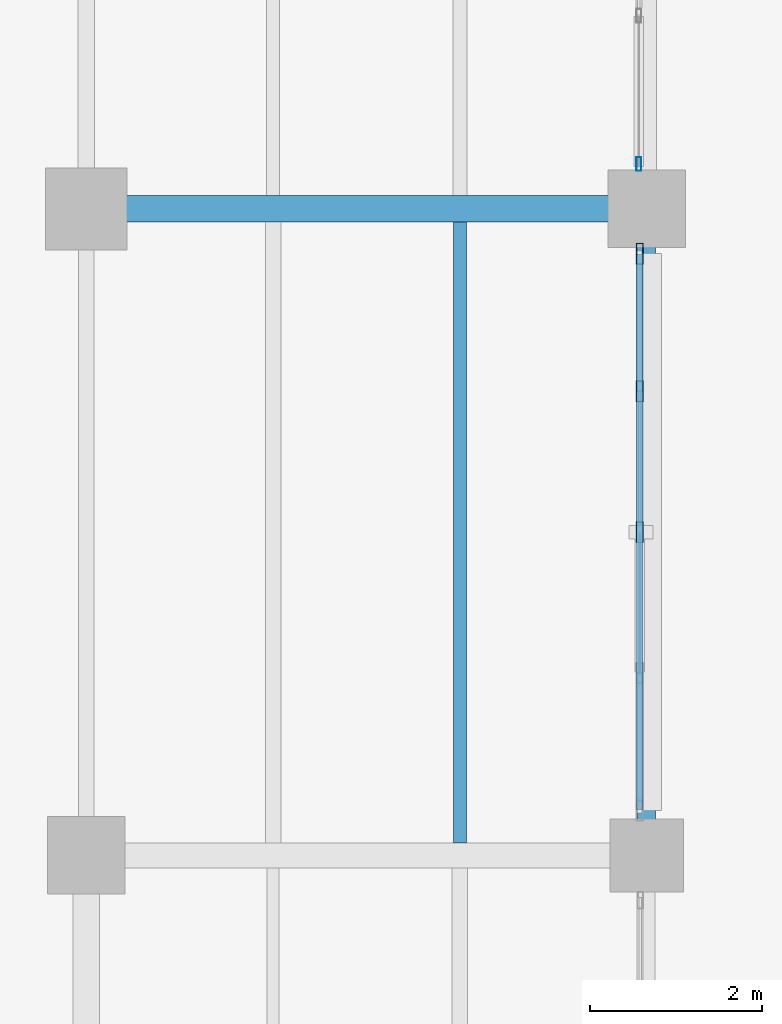
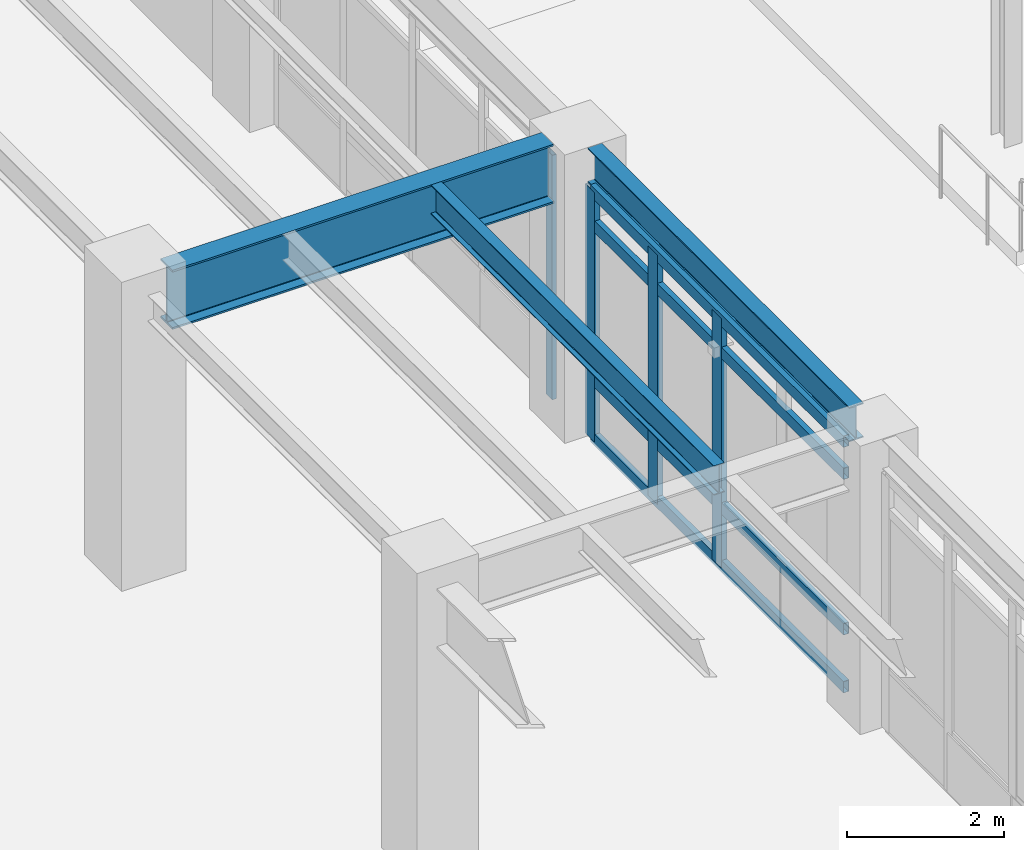
# One storey, part 112 of 200: 8 members, 3 beams, 2 elements without a shape of their own.
"""IFC4 building model written with IfcOpenShell, lengths in metres."""

from ifc_helpers import new_model, si_unit, direction, frame, origin, origin_2d, place, context, subcontext, project, spatial, hollow_rectangle, i_section, extrude, material, material_profile, profile_set, type_object, element, aggregate, save


model = new_model("IFC4")

# Units and contexts
model_context = context("Model", 3, precision=1e-05, world=origin(), true_north=direction((0.0, 1.0)))
body_context = subcontext(model_context, "Body", "Model", "MODEL_VIEW")
ifc_project = project(units=[si_unit("LENGTHUNIT", "METRE"), si_unit("AREAUNIT", "SQUARE_METRE"), si_unit("VOLUMEUNIT", "CUBIC_METRE"), si_unit("PLANEANGLEUNIT", "RADIAN"), si_unit("MASSUNIT", "GRAM", prefix="KILO"), si_unit("THERMODYNAMICTEMPERATUREUNIT", "KELVIN"), si_unit("POWERUNIT", "WATT")], contexts=[model_context])

# Site, building, storey
site_placement = place(None, origin())
site = spatial("IfcSite", under=ifc_project, at=site_placement, CompositionType="ELEMENT")
building_placement = place(site_placement, origin())
building = spatial("IfcBuilding", under=site, at=building_placement, Name="Tepalcoro Natatorium and Aquatics Centre", CompositionType="ELEMENT")
storey_placement = place(building_placement, frame((0.0, 0.0, 5.39990234375)))
storey = spatial("IfcBuildingStorey", under=building, at=storey_placement, Name="L01", CompositionType="ELEMENT", Elevation=5.39990234375)

# Beam
ifc_material_1 = material(Name="Steel ASTM A992 Grade 50 (Fy 345 MPa)", Category="steel")
ifc_material_profile_1 = material_profile(ifc_material_1, i_section(OverallWidth=0.304931640625, OverallDepth=0.9189453125, WebThickness=0.01708984375, FlangeThickness=0.028076171875, FilletRadius=0.013916015625, at=origin_2d()), Name="W36X170")
ifc_profile_set_1 = profile_set([ifc_material_profile_1], Name="Steel ASTM A992 Grade 50 (Fy 345 MPa)")
beam_type_1 = type_object("IfcBeamType", Name="BM_W36x170", PredefinedType="BEAM", material=ifc_profile_set_1)
beam_1_placement = place(storey_placement, frame((125.4599609375, 28.0, 4.005615234375), z_axis=(1.0, 0.0, 0.0), x_axis=(0.0, 1.0, 0.0)))
element("IfcBeam", 1, at=beam_1_placement, inside=storey, type_object=beam_type_1, Name="V1 L01 Grid Girder X", PredefinedType="BEAM", context=body_context, shape_type="SweptSolid", body=[
    extrude(i_section(OverallWidth=0.304931640625, OverallDepth=0.9189453125, WebThickness=0.01708984375, FlangeThickness=0.028076171875, FilletRadius=0.013916015625, at=origin_2d()), origin(), (0.0, 0.0, 1.0), 5.60498046875),
])

# Curtain wall, member
ifc_material_2 = material(Name="Bronze-Anodised Extruded Aluminium Alloy EN AW-6063 T6", Category="aluminium")
curtain_wall_type_1 = type_object("IfcCurtainWallType", Name="CW_V1_PLINTH", PredefinedType="USERDEFINED", material=ifc_material_2)
curtain_wall_1_placement = place(storey_placement, origin())
curtain_wall_1 = element("IfcCurtainWall", 2, at=curtain_wall_1_placement, inside=storey, type_object=curtain_wall_type_1, Name="V1 L01 E Unitised Curtain Wall Bay 4", ObjectType="UNITISED STOREFRONT", PredefinedType="USERDEFINED")
ifc_material_profile_2 = material_profile(ifc_material_2, hollow_rectangle(XDim=0.06005859375, YDim=0.159912109375, WallThickness=0.00390625, at=origin_2d()), Name="AL60X160X4")
ifc_profile_set_2 = profile_set([ifc_material_profile_2], Name="Bronze-Anodised Extruded Aluminium Alloy EN AW-6063 T6")
member_type_1 = type_object("IfcMemberType", Name="CW_MUL_60x160", PredefinedType="MULLION", material=ifc_profile_set_2)
member_1_placement = place(storey_placement, frame((131.409912109375, 28.52001953125, 0.02001953125), z_axis=(0.0, 0.0, 1.0), x_axis=(1.0, 0.0, 0.0)))
member_1 = element("IfcMember", 3, at=member_1_placement, type_object=member_type_1, Name="CW_V1_PLINTH Curtain Wall Mullion", PredefinedType="MULLION", context=body_context, shape_type="SweptSolid", body=[
    extrude(hollow_rectangle(XDim=0.06005859375, YDim=0.159912109375, WallThickness=0.00390625, at=origin_2d()), origin(), (0.0, 0.0, 1.0), 3.798095703125),
])
aggregate(curtain_wall_1, [member_1])

# Curtain wall, members
curtain_wall_type_2 = type_object("IfcCurtainWallType", Name="CW_LEAN_T2_EW", PredefinedType="USERDEFINED", material=ifc_material_2)
curtain_wall_2_placement = place(storey_placement, origin())
curtain_wall_2 = element("IfcCurtainWall", 4, at=curtain_wall_2_placement, inside=storey, type_object=curtain_wall_type_2, Name="V1 L01 E Unitised Curtain Wall Bay 3", ObjectType="FACETED SOLAR GLAZING", PredefinedType="USERDEFINED")
ifc_material_profile_3 = material_profile(ifc_material_2, hollow_rectangle(XDim=0.080078125, YDim=0.239990234375, WallThickness=0.0048828125, at=origin_2d()), Name="AL80X240X5")
ifc_profile_set_3 = profile_set([ifc_material_profile_3], Name="Bronze-Anodised Extruded Aluminium Alloy EN AW-6063 T6")
member_type_2 = type_object("IfcMemberType", Name="CW_MUL_80x240", PredefinedType="MULLION", material=ifc_profile_set_3)
member_2_placement = place(storey_placement, frame((131.419921875, 24.25, 0.02001953125), z_axis=(0.0, 0.0, 1.0), x_axis=(1.0, 0.0, 0.0)))
member_2 = element("IfcMember", 5, at=member_2_placement, type_object=member_type_2, Name="CW_LEAN_T2_EW Curtain Wall Mullion", PredefinedType="MULLION", context=body_context, shape_type="SweptSolid", body=[
    extrude(hollow_rectangle(XDim=0.080078125, YDim=0.239990234375, WallThickness=0.0048828125, at=origin_2d()), origin(), (0.0, 0.0, 1.0), 3.8740234375),
])
member_3_placement = place(storey_placement, frame((131.419921875, 25.885009765625, 0.02001953125), z_axis=(0.0, 0.0, 1.0), x_axis=(1.0, 0.0, 0.0)))
member_3 = element("IfcMember", 6, at=member_3_placement, type_object=member_type_2, Name="CW_LEAN_T2_EW Curtain Wall Mullion", PredefinedType="MULLION", context=body_context, shape_type="SweptSolid", body=[
    extrude(hollow_rectangle(XDim=0.080078125, YDim=0.239990234375, WallThickness=0.0048828125, at=origin_2d()), origin(), (0.0, 0.0, 1.0), 3.8740234375),
])
member_4_placement = place(storey_placement, frame((131.419921875, 27.47998046875, 0.02001953125), z_axis=(0.0, 0.0, 1.0), x_axis=(1.0, 0.0, 0.0)))
member_4 = element("IfcMember", 7, at=member_4_placement, type_object=member_type_2, Name="CW_LEAN_T2_EW Curtain Wall Mullion", PredefinedType="MULLION", context=body_context, shape_type="SweptSolid", body=[
    extrude(hollow_rectangle(XDim=0.080078125, YDim=0.239990234375, WallThickness=0.0048828125, at=origin_2d()), origin(), (0.0, 0.0, 1.0), 3.8740234375),
])
ifc_material_profile_4 = material_profile(ifc_material_2, hollow_rectangle(XDim=0.080078125, YDim=0.179931640625, WallThickness=0.0048828125, at=origin_2d()), Name="AL80X180X5")
ifc_profile_set_4 = profile_set([ifc_material_profile_4], Name="Bronze-Anodised Extruded Aluminium Alloy EN AW-6063 T6")
member_type_3 = type_object("IfcMemberType", Name="CW_TRN_80x180", PredefinedType="USERDEFINED", material=ifc_profile_set_4)
member_5_placement = place(storey_placement, frame((131.419921875, 21.030029296875, 0.050048828125), z_axis=(0.0, 1.0, 0.0), x_axis=(-1.0, 0.0, 0.0)))
member_5 = element("IfcMember", 8, at=member_5_placement, type_object=member_type_3, Name="CW_LEAN_T2_EW Curtain Wall Transom", ObjectType="TRANSOM", PredefinedType="USERDEFINED", context=body_context, shape_type="SweptSolid", body=[
    extrude(hollow_rectangle(XDim=0.080078125, YDim=0.179931640625, WallThickness=0.0048828125, at=origin_2d()), origin(), (0.0, 0.0, 1.0), 6.43994140625),
])
member_6_placement = place(storey_placement, frame((131.419921875, 21.030029296875, 0.9501953125), z_axis=(0.0, 1.0, 0.0), x_axis=(-1.0, 0.0, 0.0)))
member_6 = element("IfcMember", 9, at=member_6_placement, type_object=member_type_3, Name="CW_LEAN_T2_EW Curtain Wall Transom", ObjectType="TRANSOM", PredefinedType="USERDEFINED", context=body_context, shape_type="SweptSolid", body=[
    extrude(hollow_rectangle(XDim=0.080078125, YDim=0.179931640625, WallThickness=0.0048828125, at=origin_2d()), origin(), (0.0, 0.0, 1.0), 6.43994140625),
])
member_7_placement = place(storey_placement, frame((131.419921875, 21.030029296875, 3.364013671875), z_axis=(0.0, 1.0, 0.0), x_axis=(-1.0, 0.0, 0.0)))
member_7 = element("IfcMember", 10, at=member_7_placement, type_object=member_type_3, Name="CW_LEAN_T2_EW Curtain Wall Transom", ObjectType="TRANSOM", PredefinedType="USERDEFINED", context=body_context, shape_type="SweptSolid", body=[
    extrude(hollow_rectangle(XDim=0.080078125, YDim=0.179931640625, WallThickness=0.0048828125, at=origin_2d()), origin(), (0.0, 0.0, 1.0), 6.43994140625),
])
member_8_placement = place(storey_placement, frame((131.419921875, 21.030029296875, 3.864013671875), z_axis=(0.0, 1.0, 0.0), x_axis=(-1.0, 0.0, 0.0)))
member_8 = element("IfcMember", 11, at=member_8_placement, type_object=member_type_3, Name="CW_LEAN_T2_EW Curtain Wall Transom", ObjectType="TRANSOM", PredefinedType="USERDEFINED", context=body_context, shape_type="SweptSolid", body=[
    extrude(hollow_rectangle(XDim=0.080078125, YDim=0.179931640625, WallThickness=0.0048828125, at=origin_2d()), origin(), (0.0, 0.0, 1.0), 6.43994140625),
])
aggregate(curtain_wall_2, [member_2, member_3, member_4, member_5, member_6, member_7, member_8])

# Beams
ifc_material_profile_5 = material_profile(ifc_material_1, i_section(OverallWidth=0.153076171875, OverallDepth=0.455078125, WebThickness=0.008056640625, FlangeThickness=0.012939453125, FilletRadius=0.013916015625, at=origin_2d()), Name="W18X40")
ifc_profile_set_5 = profile_set([ifc_material_profile_5], Name="Steel ASTM A992 Grade 50 (Fy 345 MPa)")
beam_type_2 = type_object("IfcBeamType", Name="JS_W18x40", PredefinedType="JOIST", material=ifc_profile_set_5)
beam_2_placement = place(storey_placement, frame((129.333251953125, 20.64599609375, 4.237548828125), z_axis=(0.0, 1.0, 0.0), x_axis=(-1.0, 0.0, 0.0)))
element("IfcBeam", 12, at=beam_2_placement, inside=storey, type_object=beam_type_2, Name="V1 L01 Floor Joist", PredefinedType="JOIST", context=body_context, shape_type="SweptSolid", body=[
    extrude(i_section(OverallWidth=0.153076171875, OverallDepth=0.455078125, WebThickness=0.008056640625, FlangeThickness=0.012939453125, FilletRadius=0.013916015625, at=origin_2d()), origin(), (0.0, 0.0, 1.0), 7.201416015625),
])
ifc_material_profile_6 = material_profile(ifc_material_1, i_section(OverallWidth=0.2099609375, OverallDepth=0.535888671875, WebThickness=0.010986328125, FlangeThickness=0.01708984375, FilletRadius=0.013916015625, at=origin_2d()), Name="W21X68")
ifc_profile_set_6 = profile_set([ifc_material_profile_6], Name="Steel ASTM A992 Grade 50 (Fy 345 MPa)")
beam_type_3 = type_object("IfcBeamType", Name="SP_W21x68", PredefinedType="SPANDREL", material=ifc_profile_set_6)
beam_3_placement = place(storey_placement, frame((131.5, 20.909912109375, 4.197021484375), z_axis=(0.0, 1.0, 0.0), x_axis=(-1.0, 0.0, 0.0)))
element("IfcBeam", 13, at=beam_3_placement, inside=storey, type_object=beam_type_3, Name="V1 L01 Grid Girder Y", PredefinedType="SPANDREL", context=body_context, shape_type="SweptSolid", body=[
    extrude(i_section(OverallWidth=0.2099609375, OverallDepth=0.535888671875, WebThickness=0.010986328125, FlangeThickness=0.01708984375, FilletRadius=0.013916015625, at=origin_2d()), origin(), (0.0, 0.0, 1.0), 6.655029296875),
])

save(model, "model.ifc")
